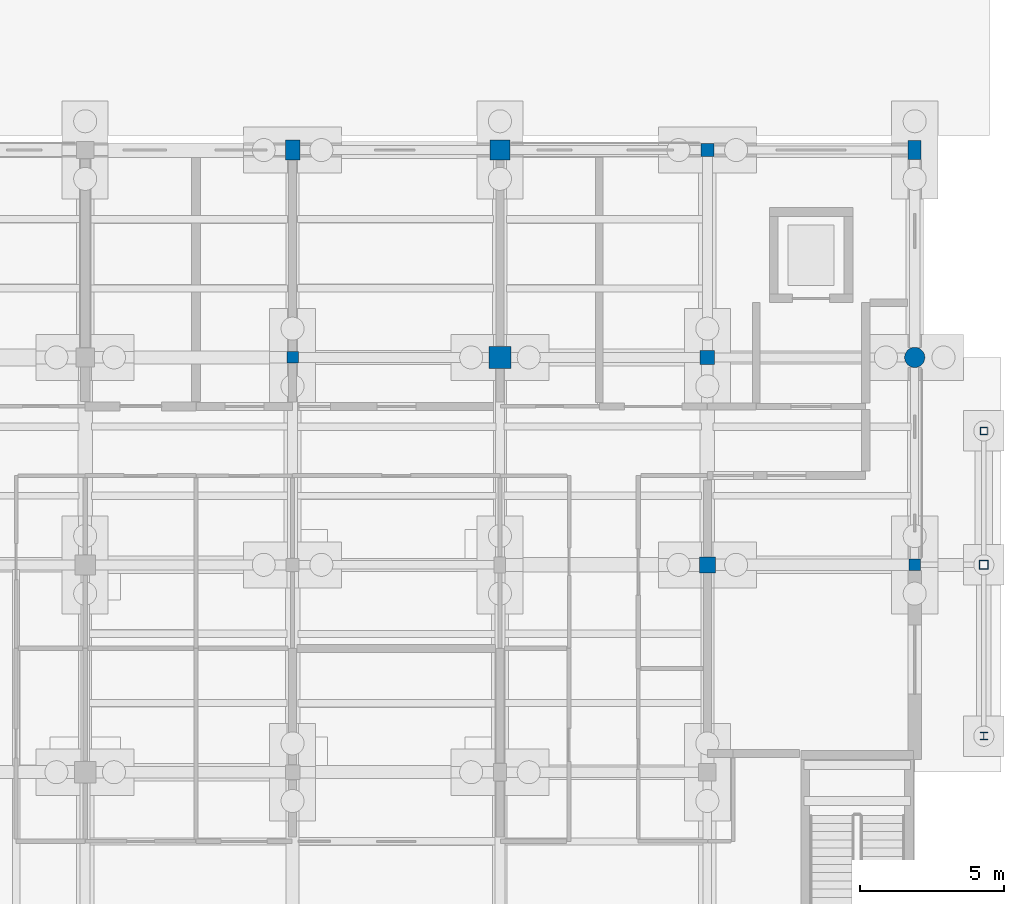
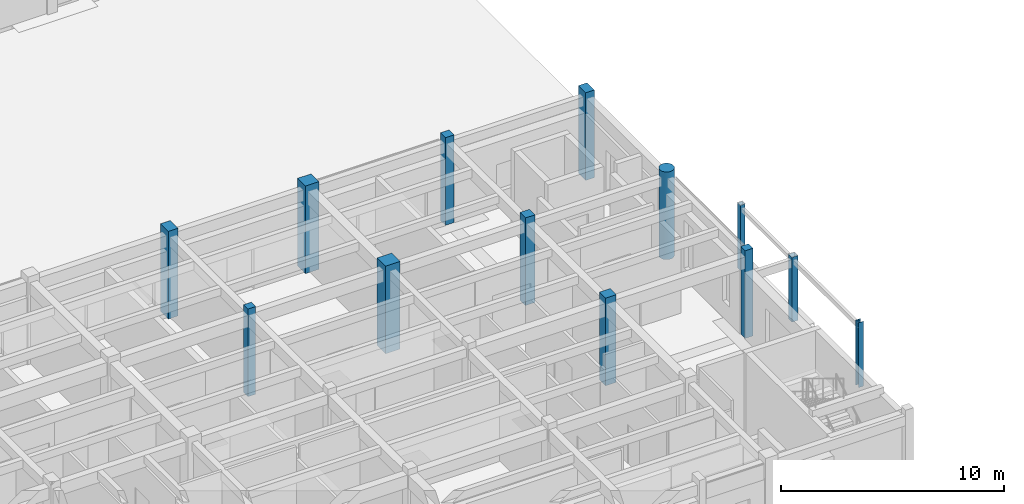
# One storey, part 29 of 143: 13 columns.
"""IFC4 building model written with IfcOpenShell, lengths in metres."""

from ifc_helpers import new_model, si_unit, direction, frame, origin, origin_2d, place, context, subcontext, project, spatial, rectangle, hollow_rectangle, circle, i_section, extrude, material, material_profile, profile_set, type_object, element, save


model = new_model("IFC4")

# Units and contexts
model_context = context("Model", 3, precision=1e-05, world=origin(), true_north=direction((0.0, 1.0)))
body_context = subcontext(model_context, "Body", "Model", "MODEL_VIEW")
ifc_project = project(units=[si_unit("LENGTHUNIT", "METRE"), si_unit("AREAUNIT", "SQUARE_METRE"), si_unit("VOLUMEUNIT", "CUBIC_METRE"), si_unit("PLANEANGLEUNIT", "RADIAN"), si_unit("MASSUNIT", "GRAM", prefix="KILO")], contexts=[model_context])

# Site, building, storey
site_placement = place(None, origin())
site = spatial("IfcSite", under=ifc_project, at=site_placement, CompositionType="ELEMENT")
building_placement = place(site_placement, origin())
building = spatial("IfcBuilding", under=site, at=building_placement, Name="Steenspoor Specialist Clinic", CompositionType="ELEMENT")
storey_placement = place(building_placement, origin())
storey = spatial("IfcBuildingStorey", under=building, at=storey_placement, Name="L00", CompositionType="ELEMENT", Elevation=0.0)

# Columns
ifc_material_1 = material(Name="Concrete C40/50", Category="concrete")
ifc_material_profile_1 = material_profile(ifc_material_1, rectangle(XDim=0.39990234375, YDim=0.39990234375, at=origin_2d()), Name="RC-COL-400X400")
ifc_profile_set_1 = profile_set([ifc_material_profile_1], Name="Concrete C40/50")
column_type_1 = type_object("IfcColumnType", Name="COL-RC-400", PredefinedType="COLUMN", material=ifc_profile_set_1)
for number, where, z_axis, x_axis, name in (
    (1, (139.60009765625, 34.64990234375, 0.0), (0.0, 0.0, 1.0), (1.0, 0.0, 0.0), "Column COL-L00-0130"),
    (2, (161.199951171875, 27.449951171875, 0.0), (0.0, 0.0, 1.0), (1.0, 0.0, 0.0), "Column COL-L00-0154"),
):
    element("IfcColumn", number, at=place(storey_placement, frame(where, z_axis=z_axis, x_axis=x_axis)), inside=storey, type_object=column_type_1, Name=name, PredefinedType="COLUMN", context=body_context, shape_type="SweptSolid", body=[
        extrude(rectangle(XDim=0.39990234375, YDim=0.39990234375, at=origin_2d()), origin(), (0.0, 0.0, 1.0), 4.800048828125),
    ])
ifc_material_profile_2 = material_profile(ifc_material_1, rectangle(XDim=0.449951171875, YDim=0.449951171875, at=origin_2d()), Name="RC-COL-450X450")
ifc_profile_set_2 = profile_set([ifc_material_profile_2], Name="Concrete C40/50")
column_type_2 = type_object("IfcColumnType", Name="COL-RC-450", PredefinedType="COLUMN", material=ifc_profile_set_2)
column_1_placement = place(storey_placement, frame((154.0, 41.85009765625, 0.0), z_axis=(0.0, 0.0, 1.0), x_axis=(1.0, 0.0, 0.0)))
element("IfcColumn", 3, at=column_1_placement, inside=storey, type_object=column_type_2, Name="Column COL-L00-0152", PredefinedType="COLUMN", context=body_context, shape_type="SweptSolid", body=[
    extrude(rectangle(XDim=0.449951171875, YDim=0.449951171875, at=origin_2d()), origin(), (0.0, 0.0, 1.0), 4.800048828125),
])
ifc_material_profile_3 = material_profile(ifc_material_1, rectangle(XDim=0.449951171875, YDim=0.64990234375, at=origin_2d()), Name="RC-COL-450X650")
ifc_profile_set_3 = profile_set([ifc_material_profile_3], Name="Concrete C40/50")
column_type_3 = type_object("IfcColumnType", Name="COL-RC-450X650", PredefinedType="COLUMN", material=ifc_profile_set_3)
column_2_placement = place(storey_placement, frame((161.199951171875, 41.85009765625, 0.0), z_axis=(0.0, 0.0, 1.0), x_axis=(1.0, 0.0, 0.0)))
element("IfcColumn", 4, at=column_2_placement, inside=storey, type_object=column_type_3, Name="Column COL-L00-0158", PredefinedType="COLUMN", context=body_context, shape_type="SweptSolid", body=[
    extrude(rectangle(XDim=0.449951171875, YDim=0.64990234375, at=origin_2d()), origin(), (0.0, 0.0, 1.0), 4.800048828125),
])
ifc_material_profile_4 = material_profile(ifc_material_1, rectangle(XDim=0.5, YDim=0.5, at=origin_2d()), Name="RC-COL-500X500")
ifc_profile_set_4 = profile_set([ifc_material_profile_4], Name="Concrete C40/50")
column_type_4 = type_object("IfcColumnType", Name="COL-RC-500", PredefinedType="COLUMN", material=ifc_profile_set_4)
column_3_placement = place(storey_placement, frame((154.0, 34.64990234375, 0.0), z_axis=(0.0, 0.0, 1.0), x_axis=(1.0, 0.0, 0.0)))
element("IfcColumn", 5, at=column_3_placement, inside=storey, type_object=column_type_4, Name="Column COL-L00-0150", PredefinedType="COLUMN", context=body_context, shape_type="SweptSolid", body=[
    extrude(rectangle(XDim=0.5, YDim=0.5, at=origin_2d()), origin(), (0.0, 0.0, 1.0), 4.800048828125),
])
ifc_material_profile_5 = material_profile(ifc_material_1, rectangle(XDim=0.5, YDim=0.699951171875, at=origin_2d()), Name="RC-COL-500X700")
ifc_profile_set_5 = profile_set([ifc_material_profile_5], Name="Concrete C40/50")
column_type_5 = type_object("IfcColumnType", Name="COL-RC-500X700", PredefinedType="COLUMN", material=ifc_profile_set_5)
column_4_placement = place(storey_placement, frame((139.60009765625, 41.85009765625, 0.0), z_axis=(0.0, 0.0, 1.0), x_axis=(1.0, 0.0, 0.0)))
element("IfcColumn", 6, at=column_4_placement, inside=storey, type_object=column_type_5, Name="Column COL-L00-0132", PredefinedType="COLUMN", context=body_context, shape_type="SweptSolid", body=[
    extrude(rectangle(XDim=0.5, YDim=0.699951171875, at=origin_2d()), origin(), (0.0, 0.0, 1.0), 4.800048828125),
])
ifc_material_profile_6 = material_profile(ifc_material_1, rectangle(XDim=0.550048828125, YDim=0.550048828125, at=origin_2d()), Name="RC-COL-550X550")
ifc_profile_set_6 = profile_set([ifc_material_profile_6], Name="Concrete C40/50")
column_type_6 = type_object("IfcColumnType", Name="COL-RC-550", PredefinedType="COLUMN", material=ifc_profile_set_6)
column_5_placement = place(storey_placement, frame((154.0, 27.449951171875, 0.0), z_axis=(0.0, 0.0, 1.0), x_axis=(1.0, 0.0, 0.0)))
element("IfcColumn", 7, at=column_5_placement, inside=storey, type_object=column_type_6, Name="Column COL-L00-0148", PredefinedType="COLUMN", context=body_context, shape_type="SweptSolid", body=[
    extrude(rectangle(XDim=0.550048828125, YDim=0.550048828125, at=origin_2d()), origin(), (0.0, 0.0, 1.0), 4.800048828125),
])
ifc_material_profile_7 = material_profile(ifc_material_1, rectangle(XDim=0.699951171875, YDim=0.699951171875, at=origin_2d()), Name="RC-COL-700X700")
ifc_profile_set_7 = profile_set([ifc_material_profile_7], Name="Concrete C40/50")
column_type_7 = type_object("IfcColumnType", Name="COL-RC-700", PredefinedType="COLUMN", material=ifc_profile_set_7)
column_6_placement = place(storey_placement, frame((146.800048828125, 41.85009765625, 0.0), z_axis=(0.0, 0.0, 1.0), x_axis=(1.0, 0.0, 0.0)))
element("IfcColumn", 8, at=column_6_placement, inside=storey, type_object=column_type_7, Name="Column COL-L00-0142", PredefinedType="COLUMN", context=body_context, shape_type="SweptSolid", body=[
    extrude(rectangle(XDim=0.699951171875, YDim=0.699951171875, at=origin_2d()), origin(), (0.0, 0.0, 1.0), 4.800048828125),
])
ifc_material_profile_8 = material_profile(ifc_material_1, rectangle(XDim=0.75, YDim=0.75, at=origin_2d()), Name="RC-COL-750X750")
ifc_profile_set_8 = profile_set([ifc_material_profile_8], Name="Concrete C40/50")
column_type_8 = type_object("IfcColumnType", Name="COL-RC-750", PredefinedType="COLUMN", material=ifc_profile_set_8)
column_7_placement = place(storey_placement, frame((146.800048828125, 34.64990234375, 0.0), z_axis=(0.0, 0.0, 1.0), x_axis=(1.0, 0.0, 0.0)))
element("IfcColumn", 9, at=column_7_placement, inside=storey, type_object=column_type_8, Name="Column COL-L00-0140", PredefinedType="COLUMN", context=body_context, shape_type="SweptSolid", body=[
    extrude(rectangle(XDim=0.75, YDim=0.75, at=origin_2d()), origin(), (0.0, 0.0, 1.0), 4.800048828125),
])
ifc_material_profile_9 = material_profile(ifc_material_1, circle(Radius=0.35009765625, at=origin_2d()), Name="RC-COL-D700")
ifc_profile_set_9 = profile_set([ifc_material_profile_9], Name="Concrete C40/50")
column_type_9 = type_object("IfcColumnType", Name="COL-RC-D700", PredefinedType="COLUMN", material=ifc_profile_set_9)
column_8_placement = place(storey_placement, frame((161.199951171875, 34.64990234375, 0.0), z_axis=(0.0, 0.0, 1.0), x_axis=(1.0, 0.0, 0.0)))
element("IfcColumn", 10, at=column_8_placement, inside=storey, type_object=column_type_9, Name="Column COL-L00-0156", PredefinedType="COLUMN", context=body_context, shape_type="SweptSolid", body=[
    extrude(circle(Radius=0.35009765625, at=origin_2d()), origin(), (0.0, 0.0, 1.0), 4.800048828125),
])
ifc_material_2 = material(Name="Steel A500 Grade C", Category="steel")
ifc_material_profile_10 = material_profile(ifc_material_2, hollow_rectangle(XDim=0.25390625, YDim=0.25390625, WallThickness=0.01171875, at=origin_2d()), Name="HSS254X254X12.7")
ifc_profile_set_10 = profile_set([ifc_material_profile_10], Name="Steel A500 Grade C")
column_type_10 = type_object("IfcColumnType", Name="COL-ST-HSS254", PredefinedType="COLUMN", material=ifc_profile_set_10)
column_9_placement = place(storey_placement, frame((163.60009765625, 32.10009765625, 0.0), z_axis=(0.0, 0.0, 1.0), x_axis=(1.0, 0.0, 0.0)))
element("IfcColumn", 11, at=column_9_placement, inside=storey, type_object=column_type_10, Name="Porch Column COL-L00-0840", PredefinedType="COLUMN", context=body_context, shape_type="SweptSolid", body=[
    extrude(hollow_rectangle(XDim=0.25390625, YDim=0.25390625, WallThickness=0.01171875, at=origin_2d()), origin(), (0.0, 0.0, 1.0), 3.550048828125),
])
ifc_material_profile_11 = material_profile(ifc_material_2, hollow_rectangle(XDim=0.3046875, YDim=0.3046875, WallThickness=0.01171875, at=origin_2d()), Name="HSS305X305X12.7")
ifc_profile_set_11 = profile_set([ifc_material_profile_11], Name="Steel A500 Grade C")
column_type_11 = type_object("IfcColumnType", Name="COL-ST-HSS305", PredefinedType="COLUMN", material=ifc_profile_set_11)
column_10_placement = place(storey_placement, frame((163.60009765625, 27.449951171875, 0.0), z_axis=(0.0, 0.0, 1.0), x_axis=(1.0, 0.0, 0.0)))
element("IfcColumn", 12, at=column_10_placement, inside=storey, type_object=column_type_11, Name="Porch Column COL-L00-0839", PredefinedType="COLUMN", context=body_context, shape_type="SweptSolid", body=[
    extrude(hollow_rectangle(XDim=0.3046875, YDim=0.3046875, WallThickness=0.01171875, at=origin_2d()), origin(), (0.0, 0.0, 1.0), 3.550048828125),
])
ifc_material_3 = material(Name="Steel A992 Grade 50", Category="steel")
ifc_material_profile_12 = material_profile(ifc_material_3, i_section(OverallWidth=0.256103515625, OverallDepth=0.260009765625, WebThickness=0.0107421875, FlangeThickness=0.017333984375, at=origin_2d()), Name="W250X89")
ifc_profile_set_12 = profile_set([ifc_material_profile_12], Name="Steel A992 Grade 50")
column_type_12 = type_object("IfcColumnType", Name="COL-ST-W250X89", PredefinedType="COLUMN", material=ifc_profile_set_12)
column_11_placement = place(storey_placement, frame((163.60009765625, 21.5, 0.0), z_axis=(0.0, 0.0, 1.0), x_axis=(1.0, 0.0, 0.0)))
element("IfcColumn", 13, at=column_11_placement, inside=storey, type_object=column_type_12, Name="Porch Column COL-L00-0838", PredefinedType="COLUMN", context=body_context, shape_type="SweptSolid", body=[
    extrude(i_section(OverallWidth=0.256103515625, OverallDepth=0.260009765625, WebThickness=0.0107421875, FlangeThickness=0.017333984375, at=origin_2d()), origin(), (0.0, 0.0, 1.0), 3.550048828125),
])

save(model, "model.ifc")
